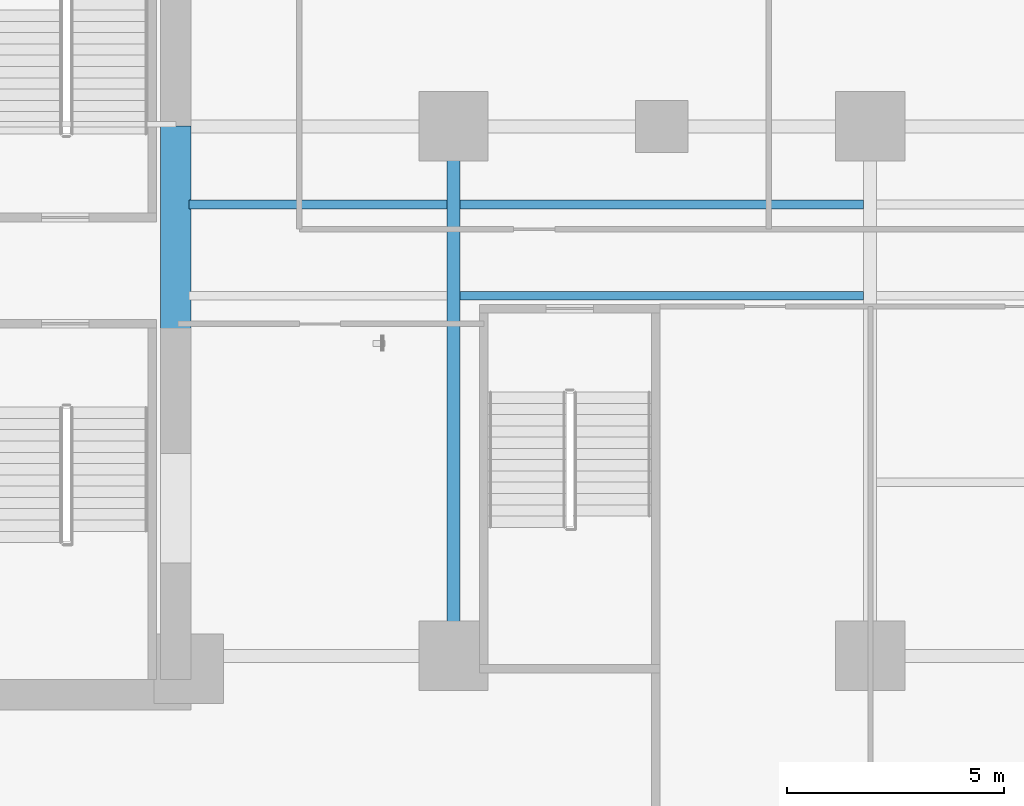
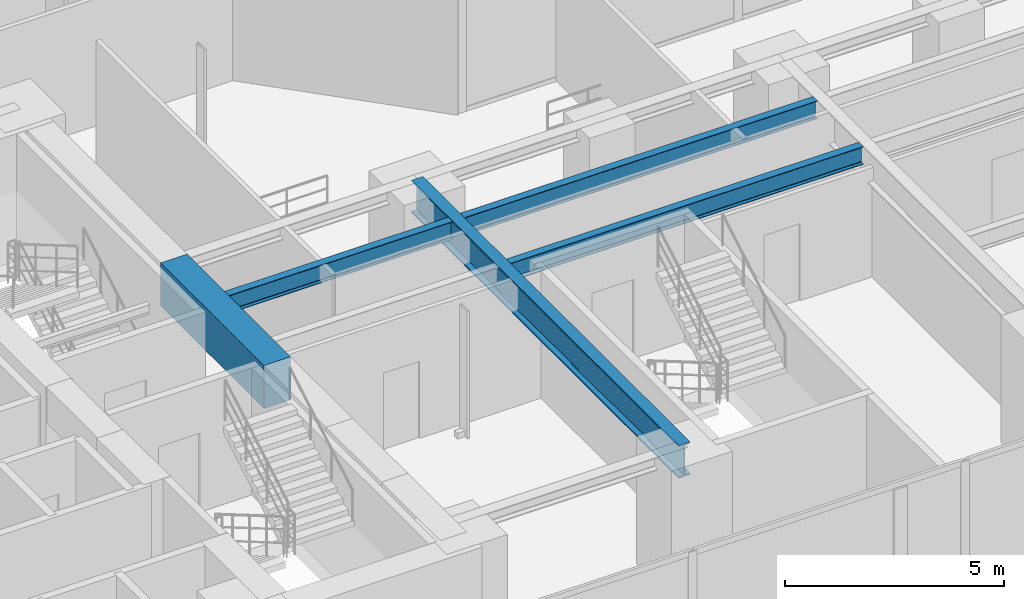
# One storey, part 5 of 29: 5 beams.
"""IFC4 building model written with IfcOpenShell, lengths in metres."""

import ifcopenshell
import ifcopenshell.guid

model = None  # the IFC model being written
_history = None  # IfcOwnerHistory: only IFC2X3 demands one
_inside = {}  # id of a spatial element -> (the spatial element, [elements in it])
_under = {}  # id of a project, library or spatial element -> (it, [spatial elements below it])
_declared = {}  # id of a project -> (the project, [libraries it declares])
_typed = {}  # id of a type object -> (the type object, [elements of that type])
_made_of = {}  # id of a material, layer set ... -> (it, [elements and type objects made of it])


def new_model(schema):
    """Start an empty IFC model of exactly this schema.

    Asked for "IFC4X3", IfcOpenShell would pick the latest addendum, in which some entities
    have other attributes; the version numbers below select the first issue.
    IFC2X3 requires an IfcOwnerHistory on every rooted entity: one is made here for all.
    """
    global model, _history
    if schema == "IFC4X3":
        model = ifcopenshell.file(schema_version=(4, 3, 0, 0))
    else:
        model = ifcopenshell.file(schema=schema)
    _inside.clear()
    _under.clear()
    _declared.clear()
    _typed.clear()
    _made_of.clear()
    _history = None
    if model.schema == "IFC2X3":
        org = make("IfcOrganization", Name="unknown")
        user = make(
            "IfcPersonAndOrganization",
            ThePerson=make("IfcPerson", FamilyName="unknown"),
            TheOrganization=org,
        )
        app = make(
            "IfcApplication",
            ApplicationDeveloper=org,
            Version="unknown",
            ApplicationFullName="unknown",
            ApplicationIdentifier="unknown",
        )
        _history = make(
            "IfcOwnerHistory",
            OwningUser=user,
            OwningApplication=app,
            ChangeAction="ADDED",
            CreationDate=0,
        )
    return model


def make(cls, **values):
    """One entity of the class cls with the attributes given. An attribute that is None is left unset."""
    return model.create_entity(
        cls, **{name: value for name, value in values.items() if value is not None}
    )


def rooted(cls, **values):
    """An entity with a GlobalId (a new one), such as an element, a storey or a relation."""
    return make(cls, GlobalId=ifcopenshell.guid.new(), OwnerHistory=_history, **values)


def si_unit(unit_type, name, prefix=None):
    """IfcSIUnit, for example si_unit("LENGTHUNIT", "METRE", prefix="MILLI")."""
    return make("IfcSIUnit", UnitType=unit_type, Prefix=prefix, Name=name)


def assignment(units):
    """IfcUnitAssignment: the units of a project."""
    return None if units is None else make("IfcUnitAssignment", Units=units)


def point(xyz):
    """IfcCartesianPoint."""
    return None if xyz is None else make("IfcCartesianPoint", Coordinates=xyz)


def direction(xyz):
    """IfcDirection."""
    return None if xyz is None else make("IfcDirection", DirectionRatios=xyz)


def frame(location, z_axis=None, x_axis=None):
    """IfcAxis2Placement3D, a coordinate frame: its origin and axes. An axis left out is left unset."""
    return make(
        "IfcAxis2Placement3D",
        Location=point(location),
        Axis=direction(z_axis),
        RefDirection=direction(x_axis),
    )


def frame_2d(location, x_axis=None):
    """IfcAxis2Placement2D, a coordinate frame in the plane: its origin and x axis."""
    return make(
        "IfcAxis2Placement2D", Location=point(location), RefDirection=direction(x_axis)
    )


def origin():
    """The frame at (0, 0, 0) with its axes left unset."""
    return frame((0.0, 0.0, 0.0))


def origin_2d():
    """The frame at (0, 0) in the plane with its x axis left unset."""
    return frame_2d((0.0, 0.0))


def place(relative_to, where):
    """IfcLocalPlacement: puts the frame where relative to a parent placement (None: the world)."""
    return make(
        "IfcLocalPlacement", PlacementRelTo=relative_to, RelativePlacement=where
    )


def context(
    kind, dimensions, precision=None, world=None, true_north=None, identifier=None
):
    """IfcGeometricRepresentationContext, for example the 3D "Model" context."""
    return make(
        "IfcGeometricRepresentationContext",
        ContextIdentifier=identifier,
        ContextType=kind,
        CoordinateSpaceDimension=dimensions,
        Precision=precision,
        WorldCoordinateSystem=world,
        TrueNorth=true_north,
    )


def subcontext(parent, identifier, kind, view, scale=None):
    """IfcGeometricRepresentationSubContext, for example "Body" below "Model"."""
    return make(
        "IfcGeometricRepresentationSubContext",
        ContextIdentifier=identifier,
        ContextType=kind,
        ParentContext=parent,
        TargetScale=scale,
        TargetView=view,
    )


def project(units=None, contexts=None):
    """IfcProject with its units and contexts."""
    return rooted(
        "IfcProject",
        Name="project",
        RepresentationContexts=contexts,
        UnitsInContext=assignment(units),
    )


def spatial(cls, under=None, at=None, **own):
    """A site, building, storey or space (cls), placed at a placement, below another one or the project."""
    s = rooted(cls, ObjectPlacement=at, **own)
    if under is not None:
        _under.setdefault(under.id(), (under, []))[1].append(s)
    return s


def profile(cls, at=None, kind="AREA", **sizes):
    """A parametric profile (cls). Its sizes go by their IFC names, for example OverallWidth=200.0."""
    return make(cls, ProfileType=kind, Position=at, **sizes)


def rectangle(**sizes):
    """IfcRectangleProfileDef."""
    return profile("IfcRectangleProfileDef", **sizes)


def i_section(**sizes):
    """IfcIShapeProfileDef."""
    return profile("IfcIShapeProfileDef", **sizes)


def extrude(swept, where, along, depth):
    """IfcExtrudedAreaSolid: the profile swept, set in the frame where, extruded along a direction by depth."""
    return make(
        "IfcExtrudedAreaSolid",
        SweptArea=swept,
        Position=where,
        ExtrudedDirection=direction(along),
        Depth=depth,
    )


def shape(context_of_items, identifier, shape_type, items):
    """IfcShapeRepresentation: the items that make up one representation, for example the "Body"."""
    return make(
        "IfcShapeRepresentation",
        ContextOfItems=context_of_items,
        RepresentationIdentifier=identifier,
        RepresentationType=shape_type,
        Items=items,
    )


def material(Name=None, Category=None):
    """IfcMaterial."""
    return make("IfcMaterial", Name=Name, Category=Category)


def material_profile(
    of_material, cross_section, Name=None, Category=None, Priority=None
):
    """IfcMaterialProfile: a cross section and its material."""
    return make(
        "IfcMaterialProfile",
        Name=Name,
        Material=of_material,
        Profile=cross_section,
        Priority=Priority,
        Category=Category,
    )


def profile_set(profiles, Name=None, composite=None):
    """IfcMaterialProfileSet."""
    return make(
        "IfcMaterialProfileSet",
        Name=Name,
        MaterialProfiles=profiles,
        CompositeProfile=composite,
    )


def made_of(thing, what):
    """Note that an element or type object is made of a material, layer set ...; save() writes the relation."""
    if what is not None:
        _made_of.setdefault(what.id(), (what, []))[1].append(thing)
    return thing


def type_object(cls, material=None, **own):
    """A type object (cls), such as IfcWallType, which elements share."""
    return made_of(rooted(cls, **own), material)


def element(
    cls,
    number,
    at=None,
    inside=None,
    cuts=None,
    type_object=None,
    material=None,
    context=None,
    identifier="Body",
    shape_type=None,
    held_by="IfcProductDefinitionShape",
    body=None,
    shapes=None,
    **own,
):
    """One element of the class cls, such as IfcWall. Its Tag is "e" and its number.

    at: its placement. inside: the storey or other place that contains it. cuts: it is an
    opening in that element (IfcRelVoidsElement). A single representation is given by context,
    identifier, shape_type and body (its items); several are given by shapes. held_by: the class
    of the entity that holds the representations. save() writes the other relations.
    """
    e = rooted(cls, Tag="e%d" % number, ObjectPlacement=at, **own)
    if body is not None:
        shapes = [shape(context, identifier, shape_type, body)]
    if shapes is not None:
        e.Representation = make(held_by, Representations=shapes)
    if inside is not None:
        _inside.setdefault(inside.id(), (inside, []))[1].append(e)
    if cuts is not None:
        rooted(
            "IfcRelVoidsElement", RelatingBuildingElement=cuts, RelatedOpeningElement=e
        )
    if type_object is not None:
        _typed.setdefault(type_object.id(), (type_object, []))[1].append(e)
    return made_of(e, material)


def aggregate(whole, parts):
    """IfcRelAggregates: a whole, such as a stair, and the parts it consists of."""
    return rooted("IfcRelAggregates", RelatingObject=whole, RelatedObjects=parts)


def save(model, path):
    """Write the relations noted so far, then the file.

    IfcRelAggregates (storeys below a building ...), IfcRelContainedInSpatialStructure (elements
    in a storey), IfcRelDefinesByType, IfcRelAssociatesMaterial and IfcRelDeclares: one each for
    every whole, place, type object, material and project.
    """
    for whole, parts in _under.values():
        aggregate(whole, parts)
    for where, things in _inside.values():
        rooted(
            "IfcRelContainedInSpatialStructure",
            RelatedElements=things,
            RelatingStructure=where,
        )
    for kind, things in _typed.values():
        rooted("IfcRelDefinesByType", RelatedObjects=things, RelatingType=kind)
    for what, things in _made_of.values():
        rooted("IfcRelAssociatesMaterial", RelatedObjects=things, RelatingMaterial=what)
    for by, libraries in _declared.values():
        rooted("IfcRelDeclares", RelatingContext=by, RelatedDefinitions=libraries)
    model.write(path)


model = new_model("IFC4")

# Units and contexts
model_context = context("Model", 3, precision=1e-05, world=origin(), true_north=direction((0.0, 1.0)))
body_context = subcontext(model_context, "Body", "Model", "MODEL_VIEW")
ifc_project = project(units=[si_unit("LENGTHUNIT", "METRE"), si_unit("AREAUNIT", "SQUARE_METRE"), si_unit("VOLUMEUNIT", "CUBIC_METRE"), si_unit("PLANEANGLEUNIT", "RADIAN"), si_unit("MASSUNIT", "GRAM", prefix="KILO")], contexts=[model_context])

# Site, building, storey
site_placement = place(None, origin())
site = spatial("IfcSite", under=ifc_project, at=site_placement, CompositionType="ELEMENT")
building_placement = place(site_placement, origin())
building = spatial("IfcBuilding", under=site, at=building_placement, Name="Kolvaren Waterfront Exchange", CompositionType="ELEMENT")
storey_placement = place(building_placement, frame((0.0, 0.0, 29.60009765625)))
storey = spatial("IfcBuildingStorey", under=building, at=storey_placement, Name="L07", CompositionType="ELEMENT", Elevation=29.60009765625)

# Beams
ifc_material_1 = material(Name="Steel S355", Category="steel")
ifc_material_profile_1 = material_profile(ifc_material_1, i_section(OverallWidth=0.199951171875, OverallDepth=0.5, WebThickness=0.01025390625, FlangeThickness=0.01611328125, FilletRadius=0.02099609375, at=origin_2d()), Name="IPE500")
ifc_profile_set_1 = profile_set([ifc_material_profile_1], Name="Steel S355")
beam_type_1 = type_object("IfcBeamType", Name="STR-BM-IPE500", PredefinedType="JOIST", material=ifc_profile_set_1)
beam_1_placement = place(storey_placement, frame((21.10009765625, 15.60009765625, 3.289794921875), z_axis=(1.0, 0.0, 0.0), x_axis=(0.0, 1.0, 0.0)))
element("IfcBeam", 1, at=beam_1_placement, inside=storey, type_object=beam_type_1, Name="L07 east-arm composite joist 1C", PredefinedType="JOIST", context=body_context, shape_type="SweptSolid", body=[
    extrude(i_section(OverallWidth=0.199951171875, OverallDepth=0.5, WebThickness=0.01025390625, FlangeThickness=0.01611328125, FilletRadius=0.02099609375, at=origin_2d()), origin(), (0.0, 0.0, 1.0), 5.947021484375),
])
for number, where, z_axis, x_axis, name in (
    (2, (27.35302734375, 13.5, 3.289794921875), (1.0, 0.0, 0.0), (0.0, 1.0, 0.0), "L07 east-arm composite joist 2A"),
    (3, (27.35302734375, 15.60009765625, 3.289794921875), (1.0, 0.0, 0.0), (0.0, 1.0, 0.0), "L07 east-arm composite joist 2C"),
):
    element("IfcBeam", number, at=place(storey_placement, frame(where, z_axis=z_axis, x_axis=x_axis)), inside=storey, type_object=beam_type_1, Name=name, PredefinedType="JOIST", context=body_context, shape_type="SweptSolid", body=[
        extrude(i_section(OverallWidth=0.199951171875, OverallDepth=0.5, WebThickness=0.01025390625, FlangeThickness=0.01611328125, FilletRadius=0.02099609375, at=origin_2d()), origin(), (0.0, 0.0, 1.0), 9.2939453125),
    ])
ifc_material_2 = material(Name="Concrete C70/85", Category="concrete")
ifc_material_profile_2 = material_profile(ifc_material_2, rectangle(XDim=0.699951171875, YDim=1.199951171875, at=origin_2d()), Name="RC-CB-1200x700")
ifc_profile_set_2 = profile_set([ifc_material_profile_2], Name="Concrete C70/85")
beam_type_2 = type_object("IfcBeamType", Name="STR-CB-1200", PredefinedType="SPANDREL", material=ifc_profile_set_2)
beam_2_placement = place(storey_placement, frame((20.800048828125, 12.68994140625, 2.93994140625), z_axis=(0.0, 1.0, 0.0), x_axis=(-1.0, 0.0, 0.0)))
element("IfcBeam", 4, at=beam_2_placement, inside=storey, type_object=beam_type_2, Name="L07 core coupling beam 2", PredefinedType="SPANDREL", context=body_context, shape_type="SweptSolid", body=[
    extrude(rectangle(XDim=0.699951171875, YDim=1.199951171875, at=origin_2d()), origin(), (0.0, 0.0, 1.0), 4.719970703125),
])
ifc_material_3 = material(Name="Steel S460", Category="steel")
ifc_material_profile_3 = material_profile(ifc_material_3, i_section(OverallWidth=0.302001953125, OverallDepth=0.909912109375, WebThickness=0.02099609375, FlangeThickness=0.0400390625, FilletRadius=0.030029296875, at=origin_2d()), Name="HEM900")
ifc_profile_set_3 = profile_set([ifc_material_profile_3], Name="Steel S460")
beam_type_3 = type_object("IfcBeamType", Name="STR-TRG-HEM900", PredefinedType="BEAM", material=ifc_profile_set_3)
beam_3_placement = place(storey_placement, frame((27.199951171875, 5.199951171875, 3.0849609375), z_axis=(0.0, 1.0, 0.0), x_axis=(-1.0, 0.0, 0.0)))
element("IfcBeam", 5, at=beam_3_placement, inside=storey, type_object=beam_type_3, Name="L07 east-arm transverse girder X27", PredefinedType="BEAM", context=body_context, shape_type="SweptSolid", body=[
    extrude(i_section(OverallWidth=0.302001953125, OverallDepth=0.909912109375, WebThickness=0.02099609375, FlangeThickness=0.0400390625, FilletRadius=0.030029296875, at=origin_2d()), origin(), (0.0, 0.0, 1.0), 12.199951171875),
])

save(model, "model.ifc")
